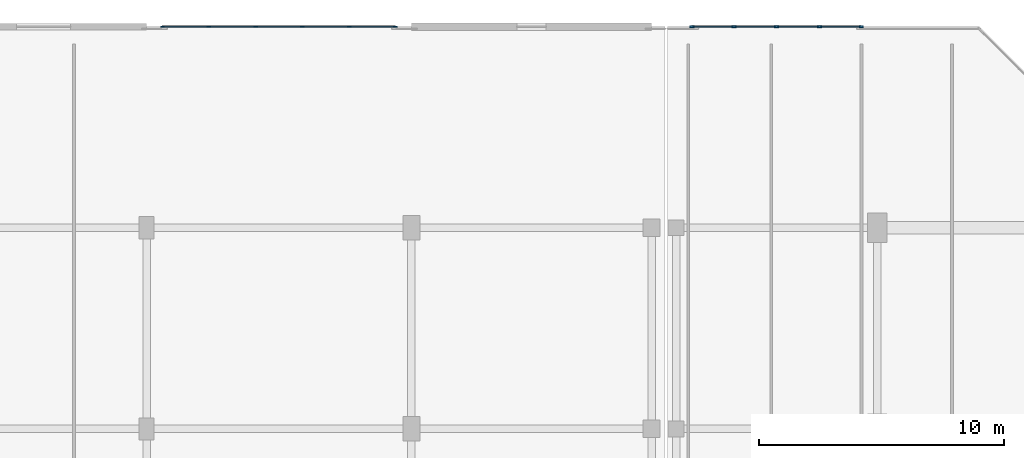
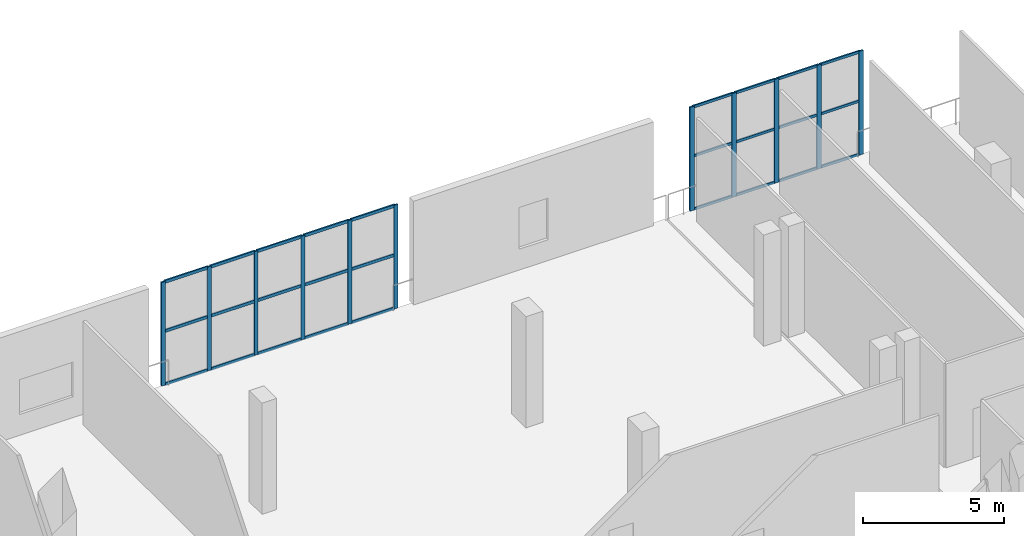
# One storey, part 71 of 142: 38 members, 2 elements without a shape of their own.
"""IFC4 building model written with IfcOpenShell, lengths in metres."""

from ifc_helpers import new_model, si_unit, direction, frame, origin, origin_2d, place, context, subcontext, project, spatial, rectangle, extrude, material, material_profile, profile_set, type_object, element, aggregate, save


model = new_model("IFC4")

# Units and contexts
model_context = context("Model", 3, precision=1e-05, world=origin(), true_north=direction((0.0, 1.0)))
body_context = subcontext(model_context, "Body", "Model", "MODEL_VIEW")
ifc_project = project(units=[si_unit("LENGTHUNIT", "METRE"), si_unit("AREAUNIT", "SQUARE_METRE"), si_unit("VOLUMEUNIT", "CUBIC_METRE"), si_unit("PLANEANGLEUNIT", "RADIAN"), si_unit("MASSUNIT", "GRAM", prefix="KILO")], contexts=[model_context])

# Site, building, storey
site_placement = place(None, origin())
site = spatial("IfcSite", under=ifc_project, at=site_placement, CompositionType="ELEMENT")
building_placement = place(site_placement, origin())
building = spatial("IfcBuilding", under=site, at=building_placement, Name="Koshinbarg Plaza Stadium", CompositionType="ELEMENT")
storey_placement = place(building_placement, frame((0.0, 0.0, 10.199951171875)))
storey = spatial("IfcBuildingStorey", under=building, at=storey_placement, Name="L02", CompositionType="ELEMENT", Elevation=10.199951171875)

# Curtain wall, members
ifc_material_1 = material(Name="Thermally broken anodised aluminium and low-E double glazing", Category="aluminium")
curtain_wall_type_1 = type_object("IfcCurtainWallType", Name="CW-SYS-06", PredefinedType="NOTDEFINED", material=ifc_material_1)
curtain_wall_1_placement = place(storey_placement, origin())
curtain_wall_1 = element("IfcCurtainWall", 1, at=curtain_wall_1_placement, inside=storey, type_object=curtain_wall_type_1, Name="L02 unitised curtain wall CW-L02-053", PredefinedType="NOTDEFINED")
ifc_material_2 = material(Name="Anodised aluminium mullion", Category="aluminium")
ifc_material_profile_1 = material_profile(ifc_material_2, rectangle(XDim=0.06005859375, YDim=0.159912109375, at=origin_2d()), Name="ALU 60x160")
ifc_profile_set_1 = profile_set([ifc_material_profile_1], Name="Anodised aluminium mullion")
member_type_1 = type_object("IfcMemberType", Name="CW-MUL-02", PredefinedType="MULLION", material=ifc_profile_set_1)
member_1_placement = place(storey_placement, frame((198.449951171875, 152.0, 0.0), z_axis=(0.0, 0.0, 1.0), x_axis=(0.0, 1.0, 0.0)))
member_1 = element("IfcMember", 2, at=member_1_placement, type_object=member_type_1, Name="CW06 mullion 1", PredefinedType="MULLION", context=body_context, shape_type="SweptSolid", body=[
    extrude(rectangle(XDim=0.06005859375, YDim=0.159912109375, at=origin_2d()), origin(), (0.0, 0.0, 1.0), 4.47998046875),
])
member_2_placement = place(storey_placement, frame((200.33203125, 152.0, 0.0), z_axis=(0.0, 0.0, 1.0), x_axis=(0.0, 1.0, 0.0)))
member_2 = element("IfcMember", 3, at=member_2_placement, type_object=member_type_1, Name="CW06 mullion 2", PredefinedType="MULLION", context=body_context, shape_type="SweptSolid", body=[
    extrude(rectangle(XDim=0.06005859375, YDim=0.159912109375, at=origin_2d()), origin(), (0.0, 0.0, 1.0), 4.47998046875),
])
member_3_placement = place(storey_placement, frame((202.243896484375, 152.0, 0.0), z_axis=(0.0, 0.0, 1.0), x_axis=(0.0, 1.0, 0.0)))
member_3 = element("IfcMember", 4, at=member_3_placement, type_object=member_type_1, Name="CW06 mullion 3", PredefinedType="MULLION", context=body_context, shape_type="SweptSolid", body=[
    extrude(rectangle(XDim=0.06005859375, YDim=0.159912109375, at=origin_2d()), origin(), (0.0, 0.0, 1.0), 4.47998046875),
])
member_4_placement = place(storey_placement, frame((204.156005859375, 152.0, 0.0), z_axis=(0.0, 0.0, 1.0), x_axis=(0.0, 1.0, 0.0)))
member_4 = element("IfcMember", 5, at=member_4_placement, type_object=member_type_1, Name="CW06 mullion 4", PredefinedType="MULLION", context=body_context, shape_type="SweptSolid", body=[
    extrude(rectangle(XDim=0.06005859375, YDim=0.159912109375, at=origin_2d()), origin(), (0.0, 0.0, 1.0), 4.47998046875),
])
member_5_placement = place(storey_placement, frame((206.068115234375, 152.0, 0.0), z_axis=(0.0, 0.0, 1.0), x_axis=(0.0, 1.0, 0.0)))
member_5 = element("IfcMember", 6, at=member_5_placement, type_object=member_type_1, Name="CW06 mullion 5", PredefinedType="MULLION", context=body_context, shape_type="SweptSolid", body=[
    extrude(rectangle(XDim=0.06005859375, YDim=0.159912109375, at=origin_2d()), origin(), (0.0, 0.0, 1.0), 4.47998046875),
])
member_6_placement = place(storey_placement, frame((207.949951171875, 152.0, 0.0), z_axis=(0.0, 0.0, 1.0), x_axis=(0.0, 1.0, 0.0)))
member_6 = element("IfcMember", 7, at=member_6_placement, type_object=member_type_1, Name="CW06 mullion 6", PredefinedType="MULLION", context=body_context, shape_type="SweptSolid", body=[
    extrude(rectangle(XDim=0.06005859375, YDim=0.159912109375, at=origin_2d()), origin(), (0.0, 0.0, 1.0), 4.47998046875),
])

curtain_wall_type_2 = type_object("IfcCurtainWallType", Name="CW-SYS-07", PredefinedType="NOTDEFINED", material=ifc_material_1)
curtain_wall_2_placement = place(storey_placement, origin())
curtain_wall_2 = element("IfcCurtainWall", 8, at=curtain_wall_2_placement, inside=storey, type_object=curtain_wall_type_2, Name="L02 unitised curtain wall CW-L02-054", PredefinedType="NOTDEFINED")
ifc_material_profile_2 = material_profile(ifc_material_2, rectangle(XDim=0.070068359375, YDim=0.179931640625, at=origin_2d()), Name="ALU 70x180")
ifc_profile_set_2 = profile_set([ifc_material_profile_2], Name="Anodised aluminium mullion")
member_type_2 = type_object("IfcMemberType", Name="CW-MUL-03", PredefinedType="MULLION", material=ifc_profile_set_2)
member_7_placement = place(storey_placement, frame((220.050048828125, 152.0, 0.0), z_axis=(0.0, 0.0, 1.0), x_axis=(0.0, 1.0, 0.0)))
member_7 = element("IfcMember", 9, at=member_7_placement, type_object=member_type_2, Name="CW07 mullion 1", PredefinedType="MULLION", context=body_context, shape_type="SweptSolid", body=[
    extrude(rectangle(XDim=0.070068359375, YDim=0.179931640625, at=origin_2d()), origin(), (0.0, 0.0, 1.0), 4.47998046875),
])
member_8_placement = place(storey_placement, frame((221.760009765625, 152.0, 0.0), z_axis=(0.0, 0.0, 1.0), x_axis=(0.0, 1.0, 0.0)))
member_8 = element("IfcMember", 10, at=member_8_placement, type_object=member_type_2, Name="CW07 mullion 2", PredefinedType="MULLION", context=body_context, shape_type="SweptSolid", body=[
    extrude(rectangle(XDim=0.070068359375, YDim=0.179931640625, at=origin_2d()), origin(), (0.0, 0.0, 1.0), 4.47998046875),
])
member_9_placement = place(storey_placement, frame((223.5, 152.0, 0.0), z_axis=(0.0, 0.0, 1.0), x_axis=(0.0, 1.0, 0.0)))
member_9 = element("IfcMember", 11, at=member_9_placement, type_object=member_type_2, Name="CW07 mullion 3", PredefinedType="MULLION", context=body_context, shape_type="SweptSolid", body=[
    extrude(rectangle(XDim=0.070068359375, YDim=0.179931640625, at=origin_2d()), origin(), (0.0, 0.0, 1.0), 4.47998046875),
])
member_10_placement = place(storey_placement, frame((225.239990234375, 152.0, 0.0), z_axis=(0.0, 0.0, 1.0), x_axis=(0.0, 1.0, 0.0)))
member_10 = element("IfcMember", 12, at=member_10_placement, type_object=member_type_2, Name="CW07 mullion 4", PredefinedType="MULLION", context=body_context, shape_type="SweptSolid", body=[
    extrude(rectangle(XDim=0.070068359375, YDim=0.179931640625, at=origin_2d()), origin(), (0.0, 0.0, 1.0), 4.47998046875),
])
member_11_placement = place(storey_placement, frame((226.949951171875, 152.0, 0.0), z_axis=(0.0, 0.0, 1.0), x_axis=(0.0, 1.0, 0.0)))
member_11 = element("IfcMember", 13, at=member_11_placement, type_object=member_type_2, Name="CW07 mullion 5", PredefinedType="MULLION", context=body_context, shape_type="SweptSolid", body=[
    extrude(rectangle(XDim=0.070068359375, YDim=0.179931640625, at=origin_2d()), origin(), (0.0, 0.0, 1.0), 4.47998046875),
])
ifc_material_3 = material(Name="Anodised aluminium transom", Category="aluminium")
ifc_material_profile_3 = material_profile(ifc_material_3, rectangle(XDim=0.06005859375, YDim=0.110107421875, at=origin_2d()), Name="ALU 60x110")
ifc_profile_set_3 = profile_set([ifc_material_profile_3], Name="Anodised aluminium transom")
member_type_3 = type_object("IfcMemberType", Name="CW-TRN-01", PredefinedType="USERDEFINED", material=ifc_profile_set_3)
member_12_placement = place(storey_placement, frame((220.080078125, 152.0, 0.030029296875), z_axis=(1.0, 0.0, 0.0), x_axis=(0.0, 1.0, 0.0)))
member_12 = element("IfcMember", 14, at=member_12_placement, type_object=member_type_3, Name="CW07 transom 1.1", ObjectType="TRANSOM", PredefinedType="USERDEFINED", context=body_context, shape_type="SweptSolid", body=[
    extrude(rectangle(XDim=0.06005859375, YDim=0.110107421875, at=origin_2d()), origin(), (0.0, 0.0, 1.0), 1.64990234375),
])
member_13_placement = place(storey_placement, frame((220.080078125, 152.0, 2.32958984375), z_axis=(1.0, 0.0, 0.0), x_axis=(0.0, 1.0, 0.0)))
member_13 = element("IfcMember", 15, at=member_13_placement, type_object=member_type_3, Name="CW07 transom 1.2", ObjectType="TRANSOM", PredefinedType="USERDEFINED", context=body_context, shape_type="SweptSolid", body=[
    extrude(rectangle(XDim=0.06005859375, YDim=0.110107421875, at=origin_2d()), origin(), (0.0, 0.0, 1.0), 1.64990234375),
])
member_14_placement = place(storey_placement, frame((220.080078125, 152.0, 4.449951171875), z_axis=(1.0, 0.0, 0.0), x_axis=(0.0, 1.0, 0.0)))
member_14 = element("IfcMember", 16, at=member_14_placement, type_object=member_type_3, Name="CW07 transom 1.3", ObjectType="TRANSOM", PredefinedType="USERDEFINED", context=body_context, shape_type="SweptSolid", body=[
    extrude(rectangle(XDim=0.06005859375, YDim=0.110107421875, at=origin_2d()), origin(), (0.0, 0.0, 1.0), 1.64990234375),
])
member_15_placement = place(storey_placement, frame((221.7900390625, 152.0, 0.030029296875), z_axis=(1.0, 0.0, 0.0), x_axis=(0.0, 1.0, 0.0)))
member_15 = element("IfcMember", 17, at=member_15_placement, type_object=member_type_3, Name="CW07 transom 2.1", ObjectType="TRANSOM", PredefinedType="USERDEFINED", context=body_context, shape_type="SweptSolid", body=[
    extrude(rectangle(XDim=0.06005859375, YDim=0.110107421875, at=origin_2d()), origin(), (0.0, 0.0, 1.0), 1.679931640625),
])
member_16_placement = place(storey_placement, frame((221.7900390625, 152.0, 2.32958984375), z_axis=(1.0, 0.0, 0.0), x_axis=(0.0, 1.0, 0.0)))
member_16 = element("IfcMember", 18, at=member_16_placement, type_object=member_type_3, Name="CW07 transom 2.2", ObjectType="TRANSOM", PredefinedType="USERDEFINED", context=body_context, shape_type="SweptSolid", body=[
    extrude(rectangle(XDim=0.06005859375, YDim=0.110107421875, at=origin_2d()), origin(), (0.0, 0.0, 1.0), 1.679931640625),
])
member_17_placement = place(storey_placement, frame((221.7900390625, 152.0, 4.449951171875), z_axis=(1.0, 0.0, 0.0), x_axis=(0.0, 1.0, 0.0)))
member_17 = element("IfcMember", 19, at=member_17_placement, type_object=member_type_3, Name="CW07 transom 2.3", ObjectType="TRANSOM", PredefinedType="USERDEFINED", context=body_context, shape_type="SweptSolid", body=[
    extrude(rectangle(XDim=0.06005859375, YDim=0.110107421875, at=origin_2d()), origin(), (0.0, 0.0, 1.0), 1.679931640625),
])
member_18_placement = place(storey_placement, frame((223.530029296875, 152.0, 0.030029296875), z_axis=(1.0, 0.0, 0.0), x_axis=(0.0, 1.0, 0.0)))
member_18 = element("IfcMember", 20, at=member_18_placement, type_object=member_type_3, Name="CW07 transom 3.1", ObjectType="TRANSOM", PredefinedType="USERDEFINED", context=body_context, shape_type="SweptSolid", body=[
    extrude(rectangle(XDim=0.06005859375, YDim=0.110107421875, at=origin_2d()), origin(), (0.0, 0.0, 1.0), 1.679931640625),
])
member_19_placement = place(storey_placement, frame((223.530029296875, 152.0, 2.32958984375), z_axis=(1.0, 0.0, 0.0), x_axis=(0.0, 1.0, 0.0)))
member_19 = element("IfcMember", 21, at=member_19_placement, type_object=member_type_3, Name="CW07 transom 3.2", ObjectType="TRANSOM", PredefinedType="USERDEFINED", context=body_context, shape_type="SweptSolid", body=[
    extrude(rectangle(XDim=0.06005859375, YDim=0.110107421875, at=origin_2d()), origin(), (0.0, 0.0, 1.0), 1.679931640625),
])
member_20_placement = place(storey_placement, frame((223.530029296875, 152.0, 4.449951171875), z_axis=(1.0, 0.0, 0.0), x_axis=(0.0, 1.0, 0.0)))
member_20 = element("IfcMember", 22, at=member_20_placement, type_object=member_type_3, Name="CW07 transom 3.3", ObjectType="TRANSOM", PredefinedType="USERDEFINED", context=body_context, shape_type="SweptSolid", body=[
    extrude(rectangle(XDim=0.06005859375, YDim=0.110107421875, at=origin_2d()), origin(), (0.0, 0.0, 1.0), 1.679931640625),
])
member_21_placement = place(storey_placement, frame((225.27001953125, 152.0, 0.030029296875), z_axis=(1.0, 0.0, 0.0), x_axis=(0.0, 1.0, 0.0)))
member_21 = element("IfcMember", 23, at=member_21_placement, type_object=member_type_3, Name="CW07 transom 4.1", ObjectType="TRANSOM", PredefinedType="USERDEFINED", context=body_context, shape_type="SweptSolid", body=[
    extrude(rectangle(XDim=0.06005859375, YDim=0.110107421875, at=origin_2d()), origin(), (0.0, 0.0, 1.0), 1.64990234375),
])
member_22_placement = place(storey_placement, frame((225.27001953125, 152.0, 2.32958984375), z_axis=(1.0, 0.0, 0.0), x_axis=(0.0, 1.0, 0.0)))
member_22 = element("IfcMember", 24, at=member_22_placement, type_object=member_type_3, Name="CW07 transom 4.2", ObjectType="TRANSOM", PredefinedType="USERDEFINED", context=body_context, shape_type="SweptSolid", body=[
    extrude(rectangle(XDim=0.06005859375, YDim=0.110107421875, at=origin_2d()), origin(), (0.0, 0.0, 1.0), 1.64990234375),
])
member_23_placement = place(storey_placement, frame((225.27001953125, 152.0, 4.449951171875), z_axis=(1.0, 0.0, 0.0), x_axis=(0.0, 1.0, 0.0)))
member_23 = element("IfcMember", 25, at=member_23_placement, type_object=member_type_3, Name="CW07 transom 4.3", ObjectType="TRANSOM", PredefinedType="USERDEFINED", context=body_context, shape_type="SweptSolid", body=[
    extrude(rectangle(XDim=0.06005859375, YDim=0.110107421875, at=origin_2d()), origin(), (0.0, 0.0, 1.0), 1.64990234375),
])
aggregate(curtain_wall_2, [member_7, member_8, member_9, member_10, member_11, member_12, member_13, member_14, member_15, member_16, member_17, member_18, member_19, member_20, member_21, member_22, member_23])

# Member
ifc_material_profile_4 = material_profile(ifc_material_3, rectangle(XDim=0.06005859375, YDim=0.1298828125, at=origin_2d()), Name="ALU 60x130")
ifc_profile_set_4 = profile_set([ifc_material_profile_4], Name="Anodised aluminium transom")
member_type_4 = type_object("IfcMemberType", Name="CW-TRN-02", PredefinedType="USERDEFINED", material=ifc_profile_set_4)
member_24_placement = place(storey_placement, frame((198.47998046875, 152.0, 0.030029296875), z_axis=(1.0, 0.0, 0.0), x_axis=(0.0, 1.0, 0.0)))
member_24 = element("IfcMember", 26, at=member_24_placement, type_object=member_type_4, Name="CW06 transom 1.1", ObjectType="TRANSOM", PredefinedType="USERDEFINED", context=body_context, shape_type="SweptSolid", body=[
    extrude(rectangle(XDim=0.06005859375, YDim=0.1298828125, at=origin_2d()), origin(), (0.0, 0.0, 1.0), 1.822021484375),
])

member_25_placement = place(storey_placement, frame((198.47998046875, 152.0, 2.32958984375), z_axis=(1.0, 0.0, 0.0), x_axis=(0.0, 1.0, 0.0)))
member_25 = element("IfcMember", 27, at=member_25_placement, type_object=member_type_4, Name="CW06 transom 1.2", ObjectType="TRANSOM", PredefinedType="USERDEFINED", context=body_context, shape_type="SweptSolid", body=[
    extrude(rectangle(XDim=0.06005859375, YDim=0.1298828125, at=origin_2d()), origin(), (0.0, 0.0, 1.0), 1.822021484375),
])

member_26_placement = place(storey_placement, frame((198.47998046875, 152.0, 4.449951171875), z_axis=(1.0, 0.0, 0.0), x_axis=(0.0, 1.0, 0.0)))
member_26 = element("IfcMember", 28, at=member_26_placement, type_object=member_type_4, Name="CW06 transom 1.3", ObjectType="TRANSOM", PredefinedType="USERDEFINED", context=body_context, shape_type="SweptSolid", body=[
    extrude(rectangle(XDim=0.06005859375, YDim=0.1298828125, at=origin_2d()), origin(), (0.0, 0.0, 1.0), 1.822021484375),
])

member_27_placement = place(storey_placement, frame((200.362060546875, 152.0, 0.030029296875), z_axis=(1.0, 0.0, 0.0), x_axis=(0.0, 1.0, 0.0)))
member_27 = element("IfcMember", 29, at=member_27_placement, type_object=member_type_4, Name="CW06 transom 2.1", ObjectType="TRANSOM", PredefinedType="USERDEFINED", context=body_context, shape_type="SweptSolid", body=[
    extrude(rectangle(XDim=0.06005859375, YDim=0.1298828125, at=origin_2d()), origin(), (0.0, 0.0, 1.0), 1.85205078125),
])

member_28_placement = place(storey_placement, frame((200.362060546875, 152.0, 2.32958984375), z_axis=(1.0, 0.0, 0.0), x_axis=(0.0, 1.0, 0.0)))
member_28 = element("IfcMember", 30, at=member_28_placement, type_object=member_type_4, Name="CW06 transom 2.2", ObjectType="TRANSOM", PredefinedType="USERDEFINED", context=body_context, shape_type="SweptSolid", body=[
    extrude(rectangle(XDim=0.06005859375, YDim=0.1298828125, at=origin_2d()), origin(), (0.0, 0.0, 1.0), 1.85205078125),
])

member_29_placement = place(storey_placement, frame((200.362060546875, 152.0, 4.449951171875), z_axis=(1.0, 0.0, 0.0), x_axis=(0.0, 1.0, 0.0)))
member_29 = element("IfcMember", 31, at=member_29_placement, type_object=member_type_4, Name="CW06 transom 2.3", ObjectType="TRANSOM", PredefinedType="USERDEFINED", context=body_context, shape_type="SweptSolid", body=[
    extrude(rectangle(XDim=0.06005859375, YDim=0.1298828125, at=origin_2d()), origin(), (0.0, 0.0, 1.0), 1.85205078125),
])

member_30_placement = place(storey_placement, frame((202.27392578125, 152.0, 0.030029296875), z_axis=(1.0, 0.0, 0.0), x_axis=(0.0, 1.0, 0.0)))
member_30 = element("IfcMember", 32, at=member_30_placement, type_object=member_type_4, Name="CW06 transom 3.1", ObjectType="TRANSOM", PredefinedType="USERDEFINED", context=body_context, shape_type="SweptSolid", body=[
    extrude(rectangle(XDim=0.06005859375, YDim=0.1298828125, at=origin_2d()), origin(), (0.0, 0.0, 1.0), 1.85205078125),
])

member_31_placement = place(storey_placement, frame((202.27392578125, 152.0, 2.32958984375), z_axis=(1.0, 0.0, 0.0), x_axis=(0.0, 1.0, 0.0)))
member_31 = element("IfcMember", 33, at=member_31_placement, type_object=member_type_4, Name="CW06 transom 3.2", ObjectType="TRANSOM", PredefinedType="USERDEFINED", context=body_context, shape_type="SweptSolid", body=[
    extrude(rectangle(XDim=0.06005859375, YDim=0.1298828125, at=origin_2d()), origin(), (0.0, 0.0, 1.0), 1.85205078125),
])

member_32_placement = place(storey_placement, frame((202.27392578125, 152.0, 4.449951171875), z_axis=(1.0, 0.0, 0.0), x_axis=(0.0, 1.0, 0.0)))
member_32 = element("IfcMember", 34, at=member_32_placement, type_object=member_type_4, Name="CW06 transom 3.3", ObjectType="TRANSOM", PredefinedType="USERDEFINED", context=body_context, shape_type="SweptSolid", body=[
    extrude(rectangle(XDim=0.06005859375, YDim=0.1298828125, at=origin_2d()), origin(), (0.0, 0.0, 1.0), 1.85205078125),
])

member_33_placement = place(storey_placement, frame((204.18603515625, 152.0, 0.030029296875), z_axis=(1.0, 0.0, 0.0), x_axis=(0.0, 1.0, 0.0)))
member_33 = element("IfcMember", 35, at=member_33_placement, type_object=member_type_4, Name="CW06 transom 4.1", ObjectType="TRANSOM", PredefinedType="USERDEFINED", context=body_context, shape_type="SweptSolid", body=[
    extrude(rectangle(XDim=0.06005859375, YDim=0.1298828125, at=origin_2d()), origin(), (0.0, 0.0, 1.0), 1.85205078125),
])

member_34_placement = place(storey_placement, frame((204.18603515625, 152.0, 2.32958984375), z_axis=(1.0, 0.0, 0.0), x_axis=(0.0, 1.0, 0.0)))
member_34 = element("IfcMember", 36, at=member_34_placement, type_object=member_type_4, Name="CW06 transom 4.2", ObjectType="TRANSOM", PredefinedType="USERDEFINED", context=body_context, shape_type="SweptSolid", body=[
    extrude(rectangle(XDim=0.06005859375, YDim=0.1298828125, at=origin_2d()), origin(), (0.0, 0.0, 1.0), 1.85205078125),
])

member_35_placement = place(storey_placement, frame((204.18603515625, 152.0, 4.449951171875), z_axis=(1.0, 0.0, 0.0), x_axis=(0.0, 1.0, 0.0)))
member_35 = element("IfcMember", 37, at=member_35_placement, type_object=member_type_4, Name="CW06 transom 4.3", ObjectType="TRANSOM", PredefinedType="USERDEFINED", context=body_context, shape_type="SweptSolid", body=[
    extrude(rectangle(XDim=0.06005859375, YDim=0.1298828125, at=origin_2d()), origin(), (0.0, 0.0, 1.0), 1.85205078125),
])

member_36_placement = place(storey_placement, frame((206.097900390625, 152.0, 0.030029296875), z_axis=(1.0, 0.0, 0.0), x_axis=(0.0, 1.0, 0.0)))
member_36 = element("IfcMember", 38, at=member_36_placement, type_object=member_type_4, Name="CW06 transom 5.1", ObjectType="TRANSOM", PredefinedType="USERDEFINED", context=body_context, shape_type="SweptSolid", body=[
    extrude(rectangle(XDim=0.06005859375, YDim=0.1298828125, at=origin_2d()), origin(), (0.0, 0.0, 1.0), 1.822021484375),
])

member_37_placement = place(storey_placement, frame((206.097900390625, 152.0, 2.32958984375), z_axis=(1.0, 0.0, 0.0), x_axis=(0.0, 1.0, 0.0)))
member_37 = element("IfcMember", 39, at=member_37_placement, type_object=member_type_4, Name="CW06 transom 5.2", ObjectType="TRANSOM", PredefinedType="USERDEFINED", context=body_context, shape_type="SweptSolid", body=[
    extrude(rectangle(XDim=0.06005859375, YDim=0.1298828125, at=origin_2d()), origin(), (0.0, 0.0, 1.0), 1.822021484375),
])

member_38_placement = place(storey_placement, frame((206.097900390625, 152.0, 4.449951171875), z_axis=(1.0, 0.0, 0.0), x_axis=(0.0, 1.0, 0.0)))
member_38 = element("IfcMember", 40, at=member_38_placement, type_object=member_type_4, Name="CW06 transom 5.3", ObjectType="TRANSOM", PredefinedType="USERDEFINED", context=body_context, shape_type="SweptSolid", body=[
    extrude(rectangle(XDim=0.06005859375, YDim=0.1298828125, at=origin_2d()), origin(), (0.0, 0.0, 1.0), 1.822021484375),
])

aggregate(curtain_wall_1, [member_1, member_2, member_3, member_4, member_5, member_6, member_24, member_25, member_26, member_27, member_28, member_29, member_30, member_31, member_32, member_33, member_34, member_35, member_36, member_37, member_38])

save(model, "model.ifc")
